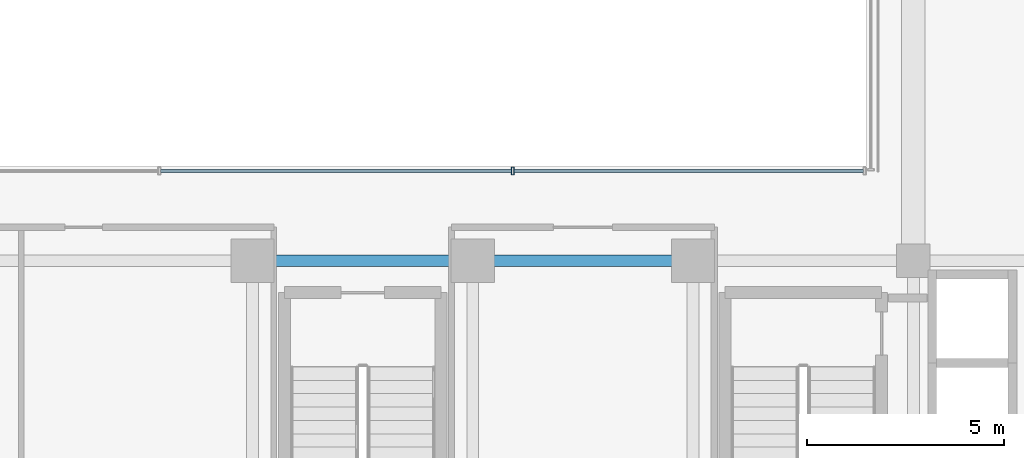
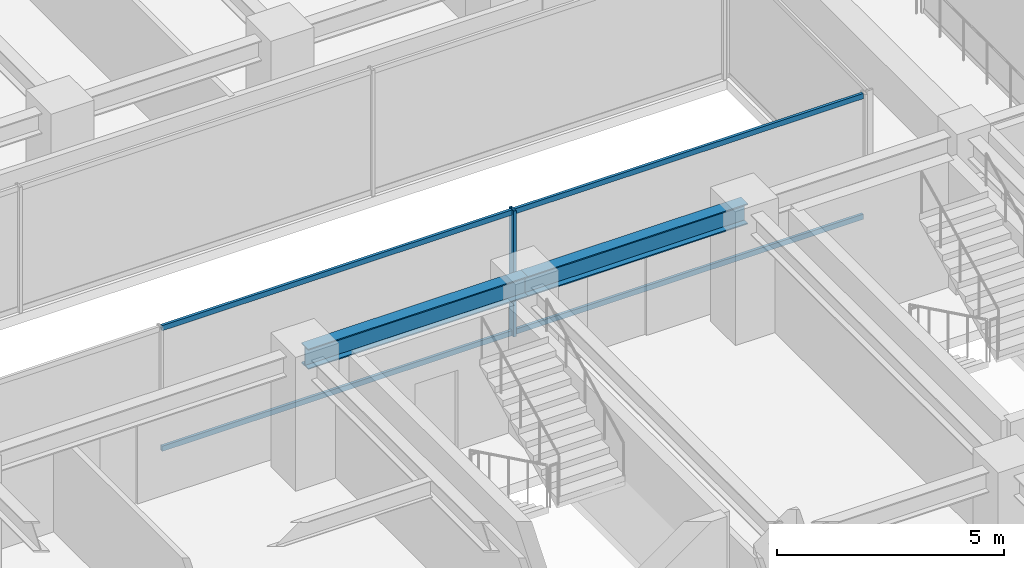
# One storey, part 10 of 41: 5 members, 2 beams, 1 element without a shape of its own.
"""IFC4 building model written with IfcOpenShell, lengths in metres."""

from ifc_helpers import new_model, si_unit, direction, frame, origin, origin_2d, place, context, subcontext, project, spatial, hollow_rectangle, i_section, extrude, source, transform, mapped, material, material_profile, profile_set, type_object, element, aggregate, save


model = new_model("IFC4")

# Units and contexts
model_context = context("Model", 3, precision=1e-05, world=origin(), true_north=direction((0.0, 1.0)))
body_context = subcontext(model_context, "Body", "Model", "MODEL_VIEW")
ifc_project = project(units=[si_unit("LENGTHUNIT", "METRE"), si_unit("AREAUNIT", "SQUARE_METRE"), si_unit("VOLUMEUNIT", "CUBIC_METRE"), si_unit("PLANEANGLEUNIT", "RADIAN"), si_unit("MASSUNIT", "GRAM", prefix="KILO")], contexts=[model_context])

# Site, building, storey
site_placement = place(None, origin())
site = spatial("IfcSite", under=ifc_project, at=site_placement, CompositionType="ELEMENT")
building_placement = place(site_placement, origin())
building = spatial("IfcBuilding", under=site, at=building_placement, Name="Nahalor Promenade Grand Hotel", CompositionType="ELEMENT")
storey_placement = place(building_placement, frame((0.0, 0.0, 159.949951171875)))
storey = spatial("IfcBuildingStorey", under=building, at=storey_placement, Name="L40", CompositionType="ELEMENT", Elevation=159.949951171875)

# Beams
ifc_material_1 = material(Name="Steel S355JR", Category="steel")
ifc_material_profile_1 = material_profile(ifc_material_1, i_section(OverallWidth=0.3, OverallDepth=0.55, WebThickness=0.015, FlangeThickness=0.029, at=origin_2d()), Name="HEB 550")
ifc_profile_set_1 = profile_set([ifc_material_profile_1], Name="Steel S355JR")
beam_type = type_object("IfcBeamType", Name="Beam-Girder-HEB550", PredefinedType="BEAM", material=ifc_profile_set_1)
shared_shape_1 = source(origin(), body_context, "Body", "SweptSolid", [
    extrude(i_section(OverallWidth=0.3, OverallDepth=0.55, WebThickness=0.015, FlangeThickness=0.029, at=origin_2d()), origin(), (0.0, 0.0, 1.0), 5.599853515625),
])
beam_1_placement = place(storey_placement, frame((-8.39990234375, -5.39990234375, 3.114990234375), z_axis=(1.0, 0.0, 0.0), x_axis=(0.0, 1.0, 0.0)))
element("IfcBeam", 1, at=beam_1_placement, inside=storey, type_object=beam_type, Name="BM-L40-GX-1-2", PredefinedType="BEAM", context=body_context, shape_type="MappedRepresentation", body=[
    mapped(shared_shape_1, transform((0.0, 0.0, 0.0), scale=1.0)),
])
shared_shape_2 = source(origin(), body_context, "Body", "SweptSolid", [
    extrude(i_section(OverallWidth=0.3, OverallDepth=0.55, WebThickness=0.015, FlangeThickness=0.029, at=origin_2d()), origin(), (0.0, 0.0, 1.0), 5.60009765625),
])
beam_2_placement = place(storey_placement, frame((-2.800048828125, -5.39990234375, 3.114990234375), z_axis=(1.0, 0.0, 0.0), x_axis=(0.0, 1.0, 0.0)))
element("IfcBeam", 2, at=beam_2_placement, inside=storey, type_object=beam_type, Name="BM-L40-GX-1-3", PredefinedType="BEAM", context=body_context, shape_type="MappedRepresentation", body=[
    mapped(shared_shape_2, transform((0.0, 0.0, 0.0), scale=1.0)),
])

# Curtain wall, members
ifc_material_2 = material(Name="Anodised Bronze Aluminium EN AW-6063 T6", Category="aluminium")
curtain_wall_type = type_object("IfcCurtainWallType", Name="CW3 Elliptical-Void Collar Unitised Curtain Wall", PredefinedType="USERDEFINED", material=ifc_material_2)
curtain_wall_placement = place(storey_placement, origin())
curtain_wall = element("IfcCurtainWall", 3, at=curtain_wall_placement, inside=storey, type_object=curtain_wall_type, Name="L40 Curtain Wall CW-L40-VOID-WS1", ObjectType="UNITISED_CURTAIN_WALL", PredefinedType="USERDEFINED")
ifc_material_profile_2 = material_profile(ifc_material_2, hollow_rectangle(XDim=0.07, YDim=0.2, WallThickness=0.005, at=origin_2d()), Name="CWM 70x200x5")
ifc_profile_set_2 = profile_set([ifc_material_profile_2], Name="Anodised Bronze Aluminium EN AW-6063 T6")
member_type_1 = type_object("IfcMemberType", Name="CWM3 Void Collar Mullion 70x200", PredefinedType="MULLION", material=ifc_profile_set_2)
shared_shape_3 = source(origin(), body_context, "Body", "SweptSolid", [
    extrude(hollow_rectangle(XDim=0.07, YDim=0.2, WallThickness=0.005, at=origin_2d()), origin(), (0.0, 0.0, 1.0), 3.39013671875),
])
member_1_placement = place(storey_placement, frame((-1.78662109375, -3.118896484375, 0.0), z_axis=(0.0, 0.0, 1.0), x_axis=(1.0, 0.0, 0.0)))
member_1 = element("IfcMember", 4, at=member_1_placement, type_object=member_type_1, Name="CW-L40-VOID-WS1 Mullion 2", PredefinedType="MULLION", context=body_context, shape_type="MappedRepresentation", body=[
    mapped(shared_shape_3, transform((0.0, 0.0, 0.0), scale=1.0)),
])
ifc_material_profile_3 = material_profile(ifc_material_2, hollow_rectangle(XDim=0.07, YDim=0.14, WallThickness=0.004, at=origin_2d()), Name="CWT 70x140x4")
ifc_profile_set_3 = profile_set([ifc_material_profile_3], Name="Anodised Bronze Aluminium EN AW-6063 T6")
member_type_2 = type_object("IfcMemberType", Name="CWT3 Void Collar Transom 70x140", PredefinedType="USERDEFINED", material=ifc_profile_set_3)
shared_shape_4 = source(origin(), body_context, "Body", "SweptSolid", [
    extrude(hollow_rectangle(XDim=0.07, YDim=0.14, WallThickness=0.004, at=origin_2d()), origin(), (0.0, 0.0, 1.0), 8.881591796875),
])
member_2_placement = place(storey_placement, frame((-1.751708984375, -3.118896484375, 0.070068359375), z_axis=(1.0, 0.0, 0.0), x_axis=(0.0, 1.0, 0.0)))
member_2 = element("IfcMember", 5, at=member_2_placement, type_object=member_type_2, Name="CW-L40-VOID-WS1 Transom 2-0", ObjectType="TRANSOM", PredefinedType="USERDEFINED", context=body_context, shape_type="MappedRepresentation", body=[
    mapped(shared_shape_4, transform((0.0, 0.0, 0.0), scale=1.0)),
])
member_3_placement = place(storey_placement, frame((-1.751708984375, -3.118896484375, 3.320068359375), z_axis=(1.0, 0.0, 0.0), x_axis=(0.0, 1.0, 0.0)))
member_3 = element("IfcMember", 6, at=member_3_placement, type_object=member_type_2, Name="CW-L40-VOID-WS1 Transom 2-1", ObjectType="TRANSOM", PredefinedType="USERDEFINED", context=body_context, shape_type="MappedRepresentation", body=[
    mapped(shared_shape_4, transform((0.0, 0.0, 0.0), scale=1.0)),
])
shared_shape_5 = source(origin(), body_context, "Body", "SweptSolid", [
    extrude(hollow_rectangle(XDim=0.07, YDim=0.14, WallThickness=0.004, at=origin_2d()), origin(), (0.0, 0.0, 1.0), 8.91650390625),
])
member_4_placement = place(storey_placement, frame((-10.73828125, -3.118896484375, 0.070068359375), z_axis=(1.0, 0.0, 0.0), x_axis=(0.0, 1.0, 0.0)))
member_4 = element("IfcMember", 7, at=member_4_placement, type_object=member_type_2, Name="CW-L40-VOID-WS1 Transom 1-0", ObjectType="TRANSOM", PredefinedType="USERDEFINED", context=body_context, shape_type="MappedRepresentation", body=[
    mapped(shared_shape_5, transform((0.0, 0.0, 0.0), scale=1.0)),
])
member_5_placement = place(storey_placement, frame((-10.73828125, -3.118896484375, 3.320068359375), z_axis=(1.0, 0.0, 0.0), x_axis=(0.0, 1.0, 0.0)))
member_5 = element("IfcMember", 8, at=member_5_placement, type_object=member_type_2, Name="CW-L40-VOID-WS1 Transom 1-1", ObjectType="TRANSOM", PredefinedType="USERDEFINED", context=body_context, shape_type="MappedRepresentation", body=[
    mapped(shared_shape_5, transform((0.0, 0.0, 0.0), scale=1.0)),
])
aggregate(curtain_wall, [member_1, member_4, member_5, member_2, member_3])

save(model, "model.ifc")
